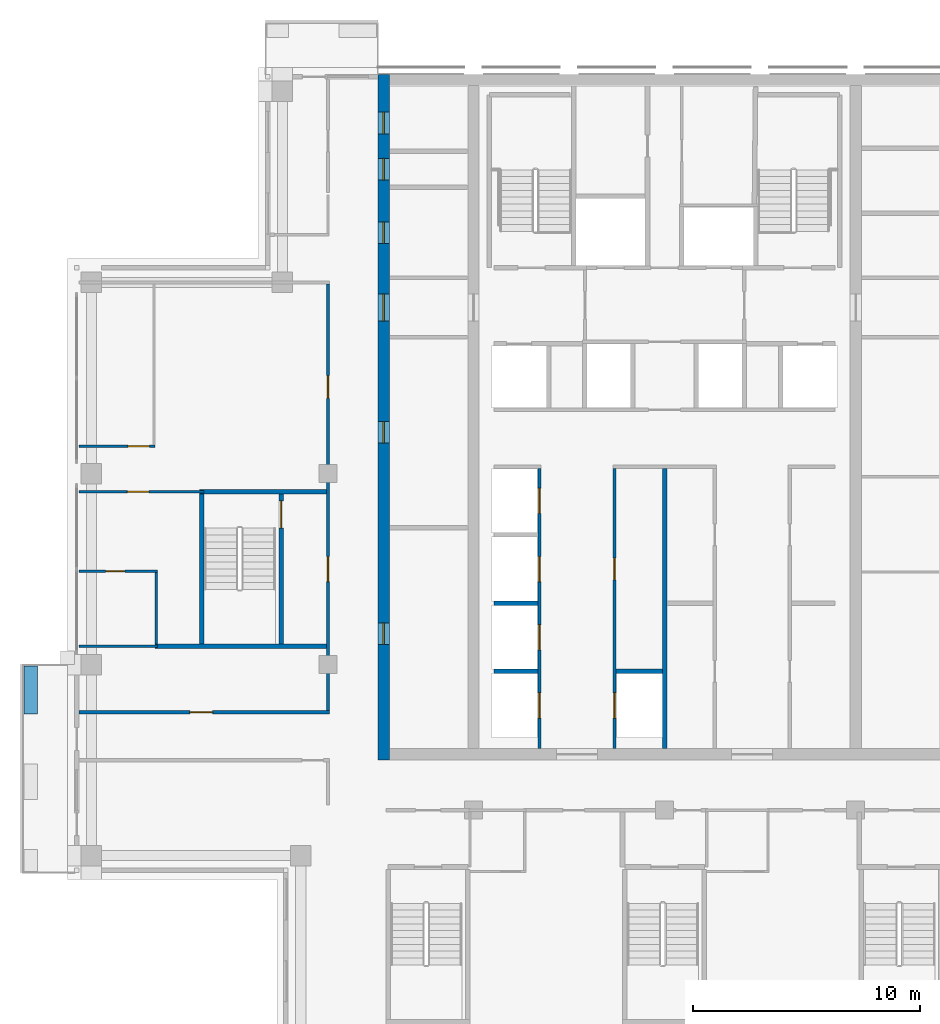
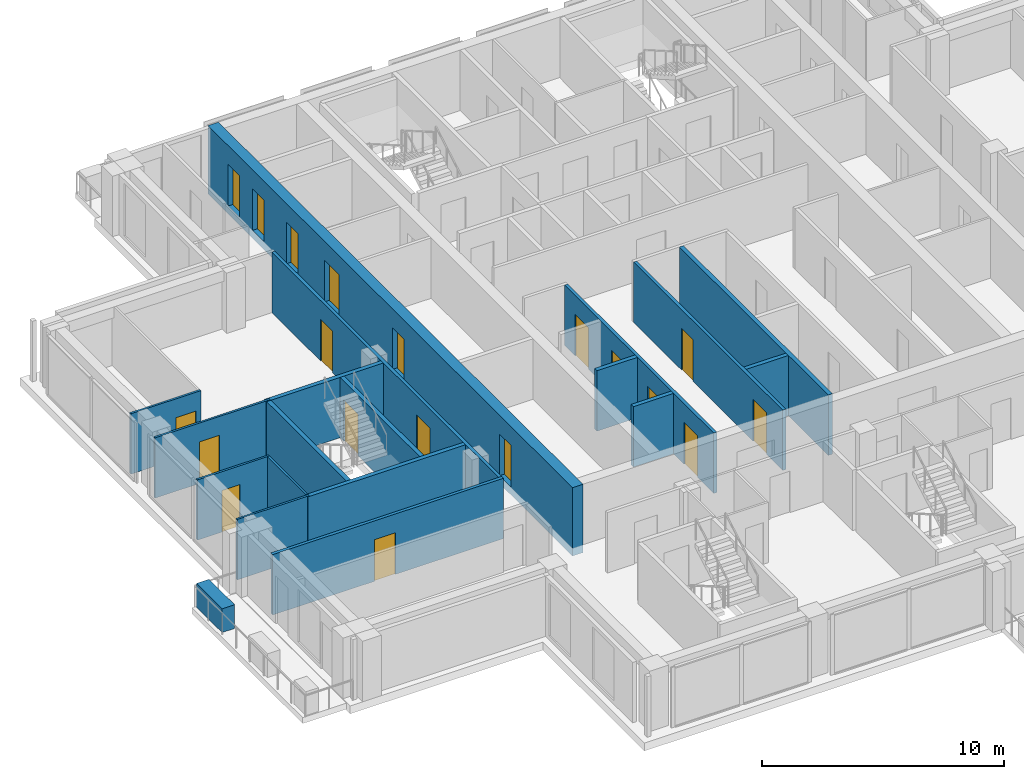
# One storey, part 9 of 17: 19 doors, 19 walls, 19 openings.
"""IFC4 building model written with IfcOpenShell, lengths in metres."""

from ifc_helpers import new_model, si_unit, direction, frame, frame_2d, origin, place, context, subcontext, project, spatial, rectangle, extrude, material, layer, layer_set, type_object, element, fill, save


model = new_model("IFC4")

# Units and contexts
model_context = context("Model", 3, precision=1e-05, world=origin(), true_north=direction((0.0, 1.0)))
body_context = subcontext(model_context, "Body", "Model", "MODEL_VIEW")
ifc_project = project(units=[si_unit("LENGTHUNIT", "METRE"), si_unit("AREAUNIT", "SQUARE_METRE"), si_unit("VOLUMEUNIT", "CUBIC_METRE"), si_unit("PLANEANGLEUNIT", "RADIAN"), si_unit("MASSUNIT", "GRAM", prefix="KILO")], contexts=[model_context])

# Site, building, storey
site_placement = place(None, origin())
site = spatial("IfcSite", under=ifc_project, at=site_placement, CompositionType="ELEMENT")
building_placement = place(site_placement, origin())
building = spatial("IfcBuilding", under=site, at=building_placement, Name="Vermilion Ogive Tower", CompositionType="ELEMENT")
storey_placement = place(building_placement, frame((0.0, 0.0, 257.949951171875)))
storey = spatial("IfcBuildingStorey", under=building, at=storey_placement, Name="L68", CompositionType="ELEMENT", Elevation=257.949951171875)

# Wall, openings, doors
ifc_material_1 = material(Name="Concrete B60", Category="concrete")
ifc_layer_1 = layer(ifc_material_1, 0.5)
ifc_layer_set_1 = layer_set([ifc_layer_1], Name="Core wall 500 B60")
wall_type_1 = type_object("IfcWallType", Name="Core wall 500 B60", PredefinedType="SHEAR", material=ifc_layer_set_1)
wall_1_placement = place(storey_placement, frame((-12.35009765625, -8.39990234375, -0.39990234375), z_axis=(0.0, 0.0, 1.0), x_axis=(0.0, 1.0, 0.0)))
wall_1 = element("IfcWall", 1, at=wall_1_placement, inside=storey, type_object=wall_type_1, Name="L68-CORE-W", PredefinedType="SHEAR", context=body_context, shape_type="SweptSolid", body=[
    extrude(rectangle(XDim=30.14990234375, YDim=0.5, at=frame_2d((15.074951171875, 0.0))), origin(), (0.0, 0.0, 1.0), 3.449951171875),
])
opening_1_placement = place(wall_1_placement, frame((5.0830078125, 0.0, 0.39990234375)))
opening_1 = element("IfcOpeningElement", 2, at=opening_1_placement, cuts=wall_1, Name="Opening DAD122", PredefinedType="OPENING", context=body_context, shape_type="SweptSolid", body=[
    extrude(rectangle(XDim=0.949951171875, YDim=2.10009765625, at=frame_2d((0.47509765625, 1.050048828125))), frame((0.0, 0.260009765625, 0.0), z_axis=(0.0, -1.0, 0.0), x_axis=(1.0, 0.0, 0.0)), (0.0, 0.0, 1.0), 0.52001953125),
])
opening_2_placement = place(wall_1_placement, frame((13.932861328125, 0.0, 0.39990234375)))
opening_2 = element("IfcOpeningElement", 3, at=opening_2_placement, cuts=wall_1, Name="Opening DAD123", PredefinedType="OPENING", context=body_context, shape_type="SweptSolid", body=[
    extrude(rectangle(XDim=0.949951171875, YDim=2.10009765625, at=frame_2d((0.47509765625, 1.050048828125))), frame((0.0, 0.260009765625, 0.0), z_axis=(0.0, -1.0, 0.0), x_axis=(1.0, 0.0, 0.0)), (0.0, 0.0, 1.0), 0.52001953125),
])
opening_3_placement = place(wall_1_placement, frame((22.718994140625, 0.0, 0.39990234375)))
opening_3 = element("IfcOpeningElement", 4, at=opening_3_placement, cuts=wall_1, Name="Opening DAD124", PredefinedType="OPENING", context=body_context, shape_type="SweptSolid", body=[
    extrude(rectangle(XDim=0.949951171875, YDim=2.10009765625, at=frame_2d((0.47509765625, 1.050048828125))), frame((0.0, 0.260009765625, 0.0), z_axis=(0.0, -1.0, 0.0), x_axis=(1.0, 0.0, 0.0)), (0.0, 0.0, 1.0), 0.52001953125),
])
opening_4_placement = place(wall_1_placement, frame((25.505615234375, 0.0, 0.39990234375)))
opening_4 = element("IfcOpeningElement", 5, at=opening_4_placement, cuts=wall_1, Name="Opening DAD125", PredefinedType="OPENING", context=body_context, shape_type="SweptSolid", body=[
    extrude(rectangle(XDim=0.949951171875, YDim=2.10009765625, at=frame_2d((0.47509765625, 1.050048828125))), frame((0.0, 0.260009765625, 0.0), z_axis=(0.0, -1.0, 0.0), x_axis=(1.0, 0.0, 0.0)), (0.0, 0.0, 1.0), 0.52001953125),
])
opening_5_placement = place(wall_1_placement, frame((27.53662109375, 0.0, 0.39990234375)))
opening_5 = element("IfcOpeningElement", 6, at=opening_5_placement, cuts=wall_1, Name="Opening DAD126", PredefinedType="OPENING", context=body_context, shape_type="SweptSolid", body=[
    extrude(rectangle(XDim=0.949951171875, YDim=2.10009765625, at=frame_2d((0.47509765625, 1.050048828125))), frame((0.0, 0.260009765625, 0.0), z_axis=(0.0, -1.0, 0.0), x_axis=(1.0, 0.0, 0.0)), (0.0, 0.0, 1.0), 0.52001953125),
])
opening_6_placement = place(wall_1_placement, frame((19.300048828125, 0.0, 0.39990234375)))
opening_6 = element("IfcOpeningElement", 7, at=opening_6_placement, cuts=wall_1, Name="Opening DAM028", PredefinedType="OPENING", context=body_context, shape_type="SweptSolid", body=[
    extrude(rectangle(XDim=1.199951171875, YDim=2.10009765625, at=frame_2d((0.60009765625, 1.050048828125))), frame((0.0, 0.260009765625, 0.0), z_axis=(0.0, -1.0, 0.0), x_axis=(1.0, 0.0, 0.0)), (0.0, 0.0, 1.0), 0.52001953125),
])
ifc_material_2 = material(Name="Timber door leaf", Category="wood")
door_type_1 = type_object("IfcDoorType", Name="Link door 1200 x 2100 FD60S", OperationType="SINGLE_SWING_LEFT", PredefinedType="DOOR", material=ifc_material_2)
door_1_placement = place(opening_6_placement, origin())
door_1 = element("IfcDoor", 8, at=door_1_placement, inside=storey, type_object=door_type_1, Name="L68-CKW-XL", OperationType="SINGLE_SWING_LEFT", OverallHeight=2.10009765625, OverallWidth=1.199951171875, PredefinedType="DOOR", context=body_context, shape_type="SweptSolid", body=[
    extrude(rectangle(XDim=1.199951171875, YDim=2.10009765625, at=frame_2d((0.60009765625, 1.050048828125))), frame((0.0, 0.02490234375, 0.0), z_axis=(0.0, -1.0, 0.0), x_axis=(1.0, 0.0, 0.0)), (0.0, 0.0, 1.0), 0.050048828125),
])
fill(opening_6, door_1)
ifc_material_3 = material(Name="Timber door leaf", Category="wood")
door_type_2 = type_object("IfcDoorType", Name="Service door 950 x 2100 FD60", OperationType="SINGLE_SWING_LEFT", PredefinedType="DOOR", material=ifc_material_3)
door_2_placement = place(opening_1_placement, origin())
door_2 = element("IfcDoor", 9, at=door_2_placement, inside=storey, type_object=door_type_2, Name="L68-CKW-XR0", OperationType="SINGLE_SWING_LEFT", OverallHeight=2.10009765625, OverallWidth=0.949951171875, PredefinedType="DOOR", context=body_context, shape_type="SweptSolid", body=[
    extrude(rectangle(XDim=0.949951171875, YDim=2.10009765625, at=frame_2d((0.47509765625, 1.050048828125))), frame((0.0, 0.02490234375, 0.0), z_axis=(0.0, -1.0, 0.0), x_axis=(1.0, 0.0, 0.0)), (0.0, 0.0, 1.0), 0.050048828125),
])
fill(opening_1, door_2)
door_3_placement = place(opening_2_placement, origin())
door_3 = element("IfcDoor", 10, at=door_3_placement, inside=storey, type_object=door_type_2, Name="L68-CKW-XR1", OperationType="SINGLE_SWING_LEFT", OverallHeight=2.10009765625, OverallWidth=0.949951171875, PredefinedType="DOOR", context=body_context, shape_type="SweptSolid", body=[
    extrude(rectangle(XDim=0.949951171875, YDim=2.10009765625, at=frame_2d((0.47509765625, 1.050048828125))), frame((0.0, 0.02490234375, 0.0), z_axis=(0.0, -1.0, 0.0), x_axis=(1.0, 0.0, 0.0)), (0.0, 0.0, 1.0), 0.050048828125),
])
fill(opening_2, door_3)
door_4_placement = place(opening_3_placement, origin())
door_4 = element("IfcDoor", 11, at=door_4_placement, inside=storey, type_object=door_type_2, Name="L68-CKW-XR2", OperationType="SINGLE_SWING_LEFT", OverallHeight=2.10009765625, OverallWidth=0.949951171875, PredefinedType="DOOR", context=body_context, shape_type="SweptSolid", body=[
    extrude(rectangle(XDim=0.949951171875, YDim=2.10009765625, at=frame_2d((0.47509765625, 1.050048828125))), frame((0.0, 0.02490234375, 0.0), z_axis=(0.0, -1.0, 0.0), x_axis=(1.0, 0.0, 0.0)), (0.0, 0.0, 1.0), 0.050048828125),
])
fill(opening_3, door_4)
door_5_placement = place(opening_4_placement, origin())
door_5 = element("IfcDoor", 12, at=door_5_placement, inside=storey, type_object=door_type_2, Name="L68-CKW-XR3", OperationType="SINGLE_SWING_LEFT", OverallHeight=2.10009765625, OverallWidth=0.949951171875, PredefinedType="DOOR", context=body_context, shape_type="SweptSolid", body=[
    extrude(rectangle(XDim=0.949951171875, YDim=2.10009765625, at=frame_2d((0.47509765625, 1.050048828125))), frame((0.0, 0.02490234375, 0.0), z_axis=(0.0, -1.0, 0.0), x_axis=(1.0, 0.0, 0.0)), (0.0, 0.0, 1.0), 0.050048828125),
])
fill(opening_4, door_5)
door_6_placement = place(opening_5_placement, origin())
door_6 = element("IfcDoor", 13, at=door_6_placement, inside=storey, type_object=door_type_2, Name="L68-CKW-XR4", OperationType="SINGLE_SWING_LEFT", OverallHeight=2.10009765625, OverallWidth=0.949951171875, PredefinedType="DOOR", context=body_context, shape_type="SweptSolid", body=[
    extrude(rectangle(XDim=0.949951171875, YDim=2.10009765625, at=frame_2d((0.47509765625, 1.050048828125))), frame((0.0, 0.02490234375, 0.0), z_axis=(0.0, -1.0, 0.0), x_axis=(1.0, 0.0, 0.0)), (0.0, 0.0, 1.0), 0.050048828125),
])
fill(opening_5, door_6)

# Wall
ifc_material_4 = material(Name="Gypsum board partition on steel studs", Category="steel")
ifc_layer_2 = layer(ifc_material_4, 0.10009765625)
ifc_layer_set_2 = layer_set([ifc_layer_2], Name="Partition 100 bath")
wall_type_2 = type_object("IfcWallType", Name="Partition 100 bath", PredefinedType="PARTITIONING", material=ifc_layer_set_2)
wall_2_placement = place(storey_placement, frame((-25.75, -3.39990234375, 0.0), z_axis=(0.0, 0.0, 1.0), x_axis=(1.0, 0.0, 0.0)))
element("IfcWall", 14, at=wall_2_placement, inside=storey, type_object=wall_type_2, Name="L68-W-W018", PredefinedType="PARTITIONING", context=body_context, shape_type="SweptSolid", body=[
    extrude(rectangle(XDim=3.449951171875, YDim=0.10009765625, at=frame_2d((1.72509765625, 0.0))), origin(), (0.0, 0.0, 1.0), 3.050048828125),
])

# Wall, opening, door
wall_3_placement = place(storey_placement, frame((-25.75, -0.10009765625, 0.0), z_axis=(0.0, 0.0, 1.0), x_axis=(1.0, 0.0, 0.0)))
wall_3 = element("IfcWall", 15, at=wall_3_placement, inside=storey, type_object=wall_type_2, Name="L68-W-W023", PredefinedType="PARTITIONING", context=body_context, shape_type="SweptSolid", body=[
    extrude(rectangle(XDim=3.449951171875, YDim=0.10009765625, at=frame_2d((1.72509765625, 0.0))), origin(), (0.0, 0.0, 1.0), 3.050048828125),
])
opening_7_placement = place(wall_3_placement, frame((1.175048828125, 0.0, 0.0)))
opening_7 = element("IfcOpeningElement", 16, at=opening_7_placement, cuts=wall_3, Name="Opening D5G5006", PredefinedType="OPENING", context=body_context, shape_type="SweptSolid", body=[
    extrude(rectangle(XDim=0.85009765625, YDim=2.10009765625, at=frame_2d((0.425048828125, 1.050048828125))), frame((0.0, 0.06005859375, 0.0), z_axis=(0.0, -1.0, 0.0), x_axis=(1.0, 0.0, 0.0)), (0.0, 0.0, 1.0), 0.1201171875),
])
ifc_material_5 = material(Name="Timber door leaf", Category="wood")
door_type_3 = type_object("IfcDoorType", Name="Bath door 850 x 2100 FD30", OperationType="SINGLE_SWING_LEFT", PredefinedType="DOOR", material=ifc_material_5)
door_7_placement = place(opening_7_placement, origin())
door_7 = element("IfcDoor", 17, at=door_7_placement, inside=storey, type_object=door_type_3, Name="L68-D-D006", OperationType="SINGLE_SWING_RIGHT", OverallHeight=2.10009765625, OverallWidth=0.85009765625, PredefinedType="DOOR", context=body_context, shape_type="SweptSolid", body=[
    extrude(rectangle(XDim=0.85009765625, YDim=2.10009765625, at=frame_2d((0.425048828125, 1.050048828125))), frame((0.0, 0.02490234375, 0.0), z_axis=(0.0, -1.0, 0.0), x_axis=(1.0, 0.0, 0.0)), (0.0, 0.0, 1.0), 0.050048828125),
])
fill(opening_7, door_7)

# Wall
wall_4_placement = place(storey_placement, frame((-22.35009765625, -3.300048828125, 0.0), z_axis=(0.0, 0.0, 1.0), x_axis=(0.0, 1.0, 0.0)))
element("IfcWall", 18, at=wall_4_placement, inside=storey, type_object=wall_type_2, Name="L68-W-W039", PredefinedType="PARTITIONING", context=body_context, shape_type="SweptSolid", body=[
    extrude(rectangle(XDim=3.150146484375, YDim=0.10009765625, at=frame_2d((1.5751953125, 0.0))), origin(), (0.0, 0.0, 1.0), 3.050048828125),
])

# Wall, opening, door
ifc_material_6 = material(Name="Gypsum board partition on steel studs", Category="steel")
ifc_layer_3 = layer(ifc_material_6, 0.10009765625)
ifc_layer_set_3 = layer_set([ifc_layer_3], Name="Partition 100 inner")
wall_type_3 = type_object("IfcWallType", Name="Partition 100 inner", PredefinedType="PARTITIONING", material=ifc_layer_set_3)
wall_5_placement = place(storey_placement, frame((-25.75, 3.39990234375, 0.0), z_axis=(0.0, 0.0, 1.0), x_axis=(1.0, 0.0, 0.0)))
wall_5 = element("IfcWall", 19, at=wall_5_placement, inside=storey, type_object=wall_type_3, Name="L68-W-W024", PredefinedType="PARTITIONING", context=body_context, shape_type="SweptSolid", body=[
    extrude(rectangle(XDim=5.5, YDim=0.10009765625, at=frame_2d((2.75, 0.0))), origin(), (0.0, 0.0, 1.0), 3.050048828125),
])
opening_8_placement = place(wall_5_placement, frame((2.125, 0.0, 0.0)))
opening_8 = element("IfcOpeningElement", 20, at=opening_8_placement, cuts=wall_5, Name="Opening D5G5005", PredefinedType="OPENING", context=body_context, shape_type="SweptSolid", body=[
    extrude(rectangle(XDim=0.949951171875, YDim=2.10009765625, at=frame_2d((0.47509765625, 1.050048828125))), frame((0.0, 0.06005859375, 0.0), z_axis=(0.0, -1.0, 0.0), x_axis=(1.0, 0.0, 0.0)), (0.0, 0.0, 1.0), 0.1201171875),
])
ifc_material_7 = material(Name="Timber door leaf", Category="wood")
door_type_4 = type_object("IfcDoorType", Name="Inner door 950 x 2100 FD30", OperationType="SINGLE_SWING_LEFT", PredefinedType="DOOR", material=ifc_material_7)
door_8_placement = place(opening_8_placement, origin())
door_8 = element("IfcDoor", 21, at=door_8_placement, inside=storey, type_object=door_type_4, Name="L68-D-D005", OperationType="SINGLE_SWING_LEFT", OverallHeight=2.10009765625, OverallWidth=0.949951171875, PredefinedType="DOOR", context=body_context, shape_type="SweptSolid", body=[
    extrude(rectangle(XDim=0.949951171875, YDim=2.10009765625, at=frame_2d((0.47509765625, 1.050048828125))), frame((0.0, 0.02490234375, 0.0), z_axis=(0.0, -1.0, 0.0), x_axis=(1.0, 0.0, 0.0)), (0.0, 0.0, 1.0), 0.050048828125),
])
fill(opening_8, door_8)

wall_6_placement = place(storey_placement, frame((-25.75, 5.39990234375, 0.0), z_axis=(0.0, 0.0, 1.0), x_axis=(1.0, 0.0, 0.0)))
wall_6 = element("IfcWall", 22, at=wall_6_placement, inside=storey, type_object=wall_type_3, Name="L68-W-W028", PredefinedType="PARTITIONING", context=body_context, shape_type="SweptSolid", body=[
    extrude(rectangle(XDim=3.35009765625, YDim=0.10009765625, at=frame_2d((1.675048828125, 0.0))), origin(), (0.0, 0.0, 1.0), 3.050048828125),
])
opening_9_placement = place(wall_6_placement, frame((2.14990234375, 0.0, 0.0)))
opening_9 = element("IfcOpeningElement", 23, at=opening_9_placement, cuts=wall_6, Name="Opening D5G5003", PredefinedType="OPENING", context=body_context, shape_type="SweptSolid", body=[
    extrude(rectangle(XDim=0.949951171875, YDim=2.10009765625, at=frame_2d((0.47509765625, 1.050048828125))), frame((0.0, 0.06005859375, 0.0), z_axis=(0.0, -1.0, 0.0), x_axis=(1.0, 0.0, 0.0)), (0.0, 0.0, 1.0), 0.1201171875),
])
door_9_placement = place(opening_9_placement, origin())
door_9 = element("IfcDoor", 24, at=door_9_placement, inside=storey, type_object=door_type_4, Name="L68-D-D003", OperationType="SINGLE_SWING_RIGHT", OverallHeight=2.10009765625, OverallWidth=0.949951171875, PredefinedType="DOOR", context=body_context, shape_type="SweptSolid", body=[
    extrude(rectangle(XDim=0.949951171875, YDim=2.10009765625, at=frame_2d((0.47509765625, 1.050048828125))), frame((0.0, 0.02490234375, 0.0), z_axis=(0.0, -1.0, 0.0), x_axis=(1.0, 0.0, 0.0)), (0.0, 0.0, 1.0), 0.050048828125),
])
fill(opening_9, door_9)

ifc_material_8 = material(Name="Gypsum board partition on steel studs", Category="steel")
ifc_layer_4 = layer(ifc_material_8, 0.14990234375)
ifc_layer_set_4 = layer_set([ifc_layer_4], Name="Partition 150 corridor")
wall_type_4 = type_object("IfcWallType", Name="Partition 150 corridor", PredefinedType="PARTITIONING", material=ifc_layer_set_4)
wall_7_placement = place(storey_placement, frame((-25.75, -6.300048828125, 0.0), z_axis=(0.0, 0.0, 1.0), x_axis=(1.0, 0.0, 0.0)))
wall_7 = element("IfcWall", 25, at=wall_7_placement, inside=storey, type_object=wall_type_4, Name="L68-W-W016", PredefinedType="PARTITIONING", context=body_context, shape_type="SweptSolid", body=[
    extrude(rectangle(XDim=11.02490234375, YDim=0.14990234375, at=frame_2d((5.512451171875, 0.0))), origin(), (0.0, 0.0, 1.0), 3.050048828125),
])
opening_10_placement = place(wall_7_placement, frame((4.875, 0.0, 0.0)))
opening_10 = element("IfcOpeningElement", 26, at=opening_10_placement, cuts=wall_7, Name="Opening D5G5032", PredefinedType="OPENING", context=body_context, shape_type="SweptSolid", body=[
    extrude(rectangle(XDim=1.0, YDim=2.10009765625, at=frame_2d((0.5, 1.050048828125))), frame((0.0, 0.0849609375, 0.0), z_axis=(0.0, -1.0, 0.0), x_axis=(1.0, 0.0, 0.0)), (0.0, 0.0, 1.0), 0.169921875),
])
ifc_material_9 = material(Name="Timber door leaf", Category="wood")
door_type_5 = type_object("IfcDoorType", Name="Unit door 1000 x 2100 FD30S", OperationType="SINGLE_SWING_LEFT", PredefinedType="DOOR", material=ifc_material_9)
door_10_placement = place(opening_10_placement, origin())
door_10 = element("IfcDoor", 27, at=door_10_placement, inside=storey, type_object=door_type_5, Name="L68-D-D032", OperationType="SINGLE_SWING_RIGHT", OverallHeight=2.10009765625, OverallWidth=1.0, PredefinedType="DOOR", context=body_context, shape_type="SweptSolid", body=[
    extrude(rectangle(XDim=1.0, YDim=2.10009765625, at=frame_2d((0.5, 1.050048828125))), frame((0.0, 0.02490234375, 0.0), z_axis=(0.0, -1.0, 0.0), x_axis=(1.0, 0.0, 0.0)), (0.0, 0.0, 1.0), 0.050048828125),
])
fill(opening_10, door_10)

# Wall, openings, doors
wall_8_placement = place(storey_placement, frame((-14.800048828125, -6.22509765625, 0.0), z_axis=(0.0, 0.0, 1.0), x_axis=(0.0, 1.0, 0.0)))
wall_8 = element("IfcWall", 28, at=wall_8_placement, inside=storey, type_object=wall_type_4, Name="L68-W-W045", PredefinedType="PARTITIONING", context=body_context, shape_type="SweptSolid", body=[
    extrude(rectangle(XDim=18.75, YDim=0.14990234375, at=frame_2d((9.375, 0.0))), origin(), (0.0, 0.0, 1.0), 3.050048828125),
])
opening_11_placement = place(wall_8_placement, frame((13.72509765625, 0.0, 0.0)))
opening_11 = element("IfcOpeningElement", 29, at=opening_11_placement, cuts=wall_8, Name="Opening D5G5004", PredefinedType="OPENING", context=body_context, shape_type="SweptSolid", body=[
    extrude(rectangle(XDim=1.0, YDim=2.10009765625, at=frame_2d((0.5, 1.050048828125))), frame((0.0, 0.0849609375, 0.0), z_axis=(0.0, -1.0, 0.0), x_axis=(1.0, 0.0, 0.0)), (0.0, 0.0, 1.0), 0.169921875),
])
opening_12_placement = place(wall_8_placement, frame((5.675048828125, 0.0, 0.0)))
opening_12 = element("IfcOpeningElement", 30, at=opening_12_placement, cuts=wall_8, Name="Opening D5G5029", PredefinedType="OPENING", context=body_context, shape_type="SweptSolid", body=[
    extrude(rectangle(XDim=1.10009765625, YDim=2.10009765625, at=frame_2d((0.550048828125, 1.050048828125))), frame((0.0, 0.0849609375, 0.0), z_axis=(0.0, -1.0, 0.0), x_axis=(1.0, 0.0, 0.0)), (0.0, 0.0, 1.0), 0.169921875),
])
ifc_material_10 = material(Name="Timber door leaf", Category="wood")
door_type_6 = type_object("IfcDoorType", Name="Stair door 1100 x 2100 FD60S", OperationType="SINGLE_SWING_LEFT", PredefinedType="DOOR", material=ifc_material_10)
door_11_placement = place(opening_12_placement, origin())
door_11 = element("IfcDoor", 31, at=door_11_placement, inside=storey, type_object=door_type_6, Name="L68-D-D029", OperationType="SINGLE_SWING_RIGHT", OverallHeight=2.10009765625, OverallWidth=1.10009765625, PredefinedType="DOOR", context=body_context, shape_type="SweptSolid", body=[
    extrude(rectangle(XDim=1.10009765625, YDim=2.10009765625, at=frame_2d((0.550048828125, 1.050048828125))), frame((0.0, 0.02490234375, 0.0), z_axis=(0.0, -1.0, 0.0), x_axis=(1.0, 0.0, 0.0)), (0.0, 0.0, 1.0), 0.050048828125),
])
fill(opening_12, door_11)
door_12_placement = place(opening_11_placement, origin())
door_12 = element("IfcDoor", 32, at=door_12_placement, inside=storey, type_object=door_type_5, Name="L68-D-D004", OperationType="SINGLE_SWING_LEFT", OverallHeight=2.10009765625, OverallWidth=1.0, PredefinedType="DOOR", context=body_context, shape_type="SweptSolid", body=[
    extrude(rectangle(XDim=1.0, YDim=2.10009765625, at=frame_2d((0.5, 1.050048828125))), frame((0.0, 0.02490234375, 0.0), z_axis=(0.0, -1.0, 0.0), x_axis=(1.0, 0.0, 0.0)), (0.0, 0.0, 1.0), 0.050048828125),
])
fill(opening_11, door_12)

wall_9_placement = place(storey_placement, frame((-5.5, -7.89892578125, 0.0), z_axis=(0.0, 0.0, 1.0), x_axis=(0.0, 1.0, 0.0)))
wall_9 = element("IfcWall", 33, at=wall_9_placement, inside=storey, type_object=wall_type_4, Name="L68-CK-W-W019", PredefinedType="PARTITIONING", context=body_context, shape_type="SweptSolid", body=[
    extrude(rectangle(XDim=12.323974609375, YDim=0.14990234375, at=frame_2d((6.162109375, 0.0))), origin(), (0.0, 0.0, 1.0), 3.050048828125),
])
opening_13_placement = place(wall_9_placement, frame((1.348876953125, 0.0, 0.0)))
opening_13 = element("IfcOpeningElement", 34, at=opening_13_placement, cuts=wall_9, Name="Opening DAA647", PredefinedType="OPENING", context=body_context, shape_type="SweptSolid", body=[
    extrude(rectangle(XDim=1.10009765625, YDim=2.10009765625, at=frame_2d((0.550048828125, 1.050048828125))), frame((0.0, 0.0849609375, 0.0), z_axis=(0.0, -1.0, 0.0), x_axis=(1.0, 0.0, 0.0)), (0.0, 0.0, 1.0), 0.169921875),
])
opening_14_placement = place(wall_9_placement, frame((4.348876953125, 0.0, 0.0)))
opening_14 = element("IfcOpeningElement", 35, at=opening_14_placement, cuts=wall_9, Name="Opening DAA648", PredefinedType="OPENING", context=body_context, shape_type="SweptSolid", body=[
    extrude(rectangle(XDim=1.10009765625, YDim=2.10009765625, at=frame_2d((0.550048828125, 1.050048828125))), frame((0.0, 0.0849609375, 0.0), z_axis=(0.0, -1.0, 0.0), x_axis=(1.0, 0.0, 0.0)), (0.0, 0.0, 1.0), 0.169921875),
])
opening_15_placement = place(wall_9_placement, frame((7.348876953125, 0.0, 0.0)))
opening_15 = element("IfcOpeningElement", 36, at=opening_15_placement, cuts=wall_9, Name="Opening DAA649", PredefinedType="OPENING", context=body_context, shape_type="SweptSolid", body=[
    extrude(rectangle(XDim=1.10009765625, YDim=2.10009765625, at=frame_2d((0.550048828125, 1.050048828125))), frame((0.0, 0.0849609375, 0.0), z_axis=(0.0, -1.0, 0.0), x_axis=(1.0, 0.0, 0.0)), (0.0, 0.0, 1.0), 0.169921875),
])
opening_16_placement = place(wall_9_placement, frame((10.348876953125, 0.0, 0.0)))
opening_16 = element("IfcOpeningElement", 37, at=opening_16_placement, cuts=wall_9, Name="Opening DAA650", PredefinedType="OPENING", context=body_context, shape_type="SweptSolid", body=[
    extrude(rectangle(XDim=1.10009765625, YDim=2.10009765625, at=frame_2d((0.550048828125, 1.050048828125))), frame((0.0, 0.0849609375, 0.0), z_axis=(0.0, -1.0, 0.0), x_axis=(1.0, 0.0, 0.0)), (0.0, 0.0, 1.0), 0.169921875),
])
ifc_material_11 = material(Name="Stainless steel", Category="steel")
door_type_7 = type_object("IfcDoorType", Name="Lift landing door 1100 x 2100", OperationType="SLIDING_TO_LEFT", PredefinedType="DOOR", material=ifc_material_11)
door_13_placement = place(opening_13_placement, origin())
door_13 = element("IfcDoor", 38, at=door_13_placement, inside=storey, type_object=door_type_7, Name="L68-CK-D-D001", OperationType="SLIDING_TO_LEFT", OverallHeight=2.10009765625, OverallWidth=1.10009765625, PredefinedType="DOOR", context=body_context, shape_type="SweptSolid", body=[
    extrude(rectangle(XDim=1.10009765625, YDim=2.10009765625, at=frame_2d((0.550048828125, 1.050048828125))), frame((0.0, 0.02490234375, 0.0), z_axis=(0.0, -1.0, 0.0), x_axis=(1.0, 0.0, 0.0)), (0.0, 0.0, 1.0), 0.050048828125),
])
fill(opening_13, door_13)
door_14_placement = place(opening_14_placement, origin())
door_14 = element("IfcDoor", 39, at=door_14_placement, inside=storey, type_object=door_type_7, Name="L68-CK-D-D002", OperationType="SLIDING_TO_LEFT", OverallHeight=2.10009765625, OverallWidth=1.10009765625, PredefinedType="DOOR", context=body_context, shape_type="SweptSolid", body=[
    extrude(rectangle(XDim=1.10009765625, YDim=2.10009765625, at=frame_2d((0.550048828125, 1.050048828125))), frame((0.0, 0.02490234375, 0.0), z_axis=(0.0, -1.0, 0.0), x_axis=(1.0, 0.0, 0.0)), (0.0, 0.0, 1.0), 0.050048828125),
])
fill(opening_14, door_14)
door_15_placement = place(opening_15_placement, origin())
door_15 = element("IfcDoor", 40, at=door_15_placement, inside=storey, type_object=door_type_7, Name="L68-CK-D-D003", OperationType="SLIDING_TO_LEFT", OverallHeight=2.10009765625, OverallWidth=1.10009765625, PredefinedType="DOOR", context=body_context, shape_type="SweptSolid", body=[
    extrude(rectangle(XDim=1.10009765625, YDim=2.10009765625, at=frame_2d((0.550048828125, 1.050048828125))), frame((0.0, 0.02490234375, 0.0), z_axis=(0.0, -1.0, 0.0), x_axis=(1.0, 0.0, 0.0)), (0.0, 0.0, 1.0), 0.050048828125),
])
fill(opening_15, door_15)
door_16_placement = place(opening_16_placement, origin())
door_16 = element("IfcDoor", 41, at=door_16_placement, inside=storey, type_object=door_type_7, Name="L68-CK-D-D004", OperationType="SLIDING_TO_LEFT", OverallHeight=2.10009765625, OverallWidth=1.10009765625, PredefinedType="DOOR", context=body_context, shape_type="SweptSolid", body=[
    extrude(rectangle(XDim=1.10009765625, YDim=2.10009765625, at=frame_2d((0.550048828125, 1.050048828125))), frame((0.0, 0.02490234375, 0.0), z_axis=(0.0, -1.0, 0.0), x_axis=(1.0, 0.0, 0.0)), (0.0, 0.0, 1.0), 0.050048828125),
])
fill(opening_16, door_16)

wall_10_placement = place(storey_placement, frame((-2.199951171875, -7.89892578125, 0.0), z_axis=(0.0, 0.0, 1.0), x_axis=(0.0, 1.0, 0.0)))
wall_10 = element("IfcWall", 42, at=wall_10_placement, inside=storey, type_object=wall_type_4, Name="L68-CK-W-W024", PredefinedType="PARTITIONING", context=body_context, shape_type="SweptSolid", body=[
    extrude(rectangle(XDim=12.323974609375, YDim=0.14990234375, at=frame_2d((6.162109375, 0.0))), origin(), (0.0, 0.0, 1.0), 3.050048828125),
])
opening_17_placement = place(wall_10_placement, frame((1.348876953125, 0.0, 0.0)))
opening_17 = element("IfcOpeningElement", 43, at=opening_17_placement, cuts=wall_10, Name="Opening DAA651", PredefinedType="OPENING", context=body_context, shape_type="SweptSolid", body=[
    extrude(rectangle(XDim=1.10009765625, YDim=2.10009765625, at=frame_2d((0.550048828125, 1.050048828125))), frame((0.0, 0.0849609375, 0.0), z_axis=(0.0, -1.0, 0.0), x_axis=(1.0, 0.0, 0.0)), (0.0, 0.0, 1.0), 0.169921875),
])
opening_18_placement = place(wall_10_placement, frame((7.423828125, 0.0, 0.0)))
opening_18 = element("IfcOpeningElement", 44, at=opening_18_placement, cuts=wall_10, Name="Opening DAA638", PredefinedType="OPENING", context=body_context, shape_type="SweptSolid", body=[
    extrude(rectangle(XDim=0.949951171875, YDim=2.10009765625, at=frame_2d((0.47509765625, 1.050048828125))), frame((0.0, 0.0849609375, 0.0), z_axis=(0.0, -1.0, 0.0), x_axis=(1.0, 0.0, 0.0)), (0.0, 0.0, 1.0), 0.169921875),
])
door_17_placement = place(opening_17_placement, origin())
door_17 = element("IfcDoor", 45, at=door_17_placement, inside=storey, type_object=door_type_7, Name="L68-CK-D-D005", OperationType="SLIDING_TO_LEFT", OverallHeight=2.10009765625, OverallWidth=1.10009765625, PredefinedType="DOOR", context=body_context, shape_type="SweptSolid", body=[
    extrude(rectangle(XDim=1.10009765625, YDim=2.10009765625, at=frame_2d((0.550048828125, 1.050048828125))), frame((0.0, 0.02490234375, 0.0), z_axis=(0.0, -1.0, 0.0), x_axis=(1.0, 0.0, 0.0)), (0.0, 0.0, 1.0), 0.050048828125),
])
fill(opening_17, door_17)
door_18_placement = place(opening_18_placement, origin())
door_18 = element("IfcDoor", 46, at=door_18_placement, inside=storey, type_object=door_type_2, Name="L68-CK-D-D006", OperationType="SINGLE_SWING_RIGHT", OverallHeight=2.10009765625, OverallWidth=0.949951171875, PredefinedType="DOOR", context=body_context, shape_type="SweptSolid", body=[
    extrude(rectangle(XDim=0.949951171875, YDim=2.10009765625, at=frame_2d((0.47509765625, 1.050048828125))), frame((0.0, 0.02490234375, 0.0), z_axis=(0.0, -1.0, 0.0), x_axis=(1.0, 0.0, 0.0)), (0.0, 0.0, 1.0), 0.050048828125),
])
fill(opening_18, door_18)

# Walls
ifc_material_12 = material(Name="Gypsum board partition on steel studs", Category="steel")
ifc_layer_5 = layer(ifc_material_12, 0.199951171875)
ifc_layer_set_5 = layer_set([ifc_layer_5], Name="Partition 200 party")
wall_type_5 = type_object("IfcWallType", Name="Partition 200 party", PredefinedType="PARTITIONING", material=ifc_layer_set_5)
wall_11_placement = place(storey_placement, frame((-7.5, -4.5, 0.0), z_axis=(0.0, 0.0, 1.0), x_axis=(1.0, 0.0, 0.0)))
element("IfcWall", 47, at=wall_11_placement, inside=storey, type_object=wall_type_5, Name="L68-CK-W-W001", PredefinedType="PARTITIONING", context=body_context, shape_type="SweptSolid", body=[
    extrude(rectangle(XDim=1.925048828125, YDim=0.199951171875, at=frame_2d((0.96240234375, 0.0))), origin(), (0.0, 0.0, 1.0), 3.050048828125),
])
wall_12_placement = place(storey_placement, frame((-2.125, -4.5, 0.0), z_axis=(0.0, 0.0, 1.0), x_axis=(1.0, 0.0, 0.0)))
element("IfcWall", 48, at=wall_12_placement, inside=storey, type_object=wall_type_5, Name="L68-CK-W-W002", PredefinedType="PARTITIONING", context=body_context, shape_type="SweptSolid", body=[
    extrude(rectangle(XDim=2.02490234375, YDim=0.199951171875, at=frame_2d((1.012451171875, 0.0))), origin(), (0.0, 0.0, 1.0), 3.050048828125),
])
wall_13_placement = place(storey_placement, frame((-7.5, -1.5, 0.0), z_axis=(0.0, 0.0, 1.0), x_axis=(1.0, 0.0, 0.0)))
element("IfcWall", 49, at=wall_13_placement, inside=storey, type_object=wall_type_5, Name="L68-CK-W-W003", PredefinedType="PARTITIONING", context=body_context, shape_type="SweptSolid", body=[
    extrude(rectangle(XDim=1.925048828125, YDim=0.199951171875, at=frame_2d((0.96240234375, 0.0))), origin(), (0.0, 0.0, 1.0), 3.050048828125),
])
wall_14_placement = place(storey_placement, frame((0.0, -7.89892578125, 0.0), z_axis=(0.0, 0.0, 1.0), x_axis=(0.0, 1.0, 0.0)))
element("IfcWall", 50, at=wall_14_placement, inside=storey, type_object=wall_type_5, Name="L68-CK-W-W027", PredefinedType="PARTITIONING", context=body_context, shape_type="SweptSolid", body=[
    extrude(rectangle(XDim=12.323974609375, YDim=0.199951171875, at=frame_2d((6.162109375, 0.0))), origin(), (0.0, 0.0, 1.0), 3.050048828125),
])
ifc_material_13 = material(Name="Concrete B60", Category="concrete")
ifc_layer_6 = layer(ifc_material_13, 0.199951171875)
ifc_layer_set_6 = layer_set([ifc_layer_6], Name="Stair shaft wall 200 Concrete B60")
wall_type_6 = type_object("IfcWallType", Name="Stair shaft wall 200 Concrete B60", PredefinedType="SOLIDWALL", material=ifc_layer_set_6)
wall_15_placement = place(storey_placement, frame((-20.449951171875, 3.39990234375, 0.0), z_axis=(0.0, 0.0, 1.0), x_axis=(1.0, 0.0, 0.0)))
element("IfcWall", 51, at=wall_15_placement, inside=storey, type_object=wall_type_6, Name="L68-W-W025", PredefinedType="SOLIDWALL", context=body_context, shape_type="SweptSolid", body=[
    extrude(rectangle(XDim=5.574951171875, YDim=0.199951171875, at=frame_2d((2.78759765625, 0.0))), origin(), (0.0, 0.0, 1.0), 3.050048828125),
])

# Wall, opening, door
wall_16_placement = place(storey_placement, frame((-16.85009765625, -3.300048828125, 0.0), z_axis=(0.0, 0.0, 1.0), x_axis=(0.0, 1.0, 0.0)))
wall_16 = element("IfcWall", 52, at=wall_16_placement, inside=storey, type_object=wall_type_6, Name="L68-W-W043", PredefinedType="SOLIDWALL", context=body_context, shape_type="SweptSolid", body=[
    extrude(rectangle(XDim=6.60009765625, YDim=0.199951171875, at=frame_2d((3.300048828125, 0.0))), origin(), (0.0, 0.0, 1.0), 3.050048828125),
])
opening_19_placement = place(wall_16_placement, frame((5.10009765625, 0.0, 0.0)))
opening_19 = element("IfcOpeningElement", 53, at=opening_19_placement, cuts=wall_16, Name="Opening D5G5030", PredefinedType="OPENING", context=body_context, shape_type="SweptSolid", body=[
    extrude(rectangle(XDim=1.199951171875, YDim=2.10009765625, at=frame_2d((0.60009765625, 1.050048828125))), frame((0.0, 0.10986328125, 0.0), z_axis=(0.0, -1.0, 0.0), x_axis=(1.0, 0.0, 0.0)), (0.0, 0.0, 1.0), 0.219970703125),
])
ifc_material_14 = material(Name="Timber door leaf", Category="wood")
door_type_8 = type_object("IfcDoorType", Name="Stair door 1200 x 2100 FD60S", OperationType="SINGLE_SWING_LEFT", PredefinedType="DOOR", material=ifc_material_14)
door_19_placement = place(opening_19_placement, origin())
door_19 = element("IfcDoor", 54, at=door_19_placement, inside=storey, type_object=door_type_8, Name="L68-D-D030", OperationType="SINGLE_SWING_RIGHT", OverallHeight=2.10009765625, OverallWidth=1.199951171875, PredefinedType="DOOR", context=body_context, shape_type="SweptSolid", body=[
    extrude(rectangle(XDim=1.199951171875, YDim=2.10009765625, at=frame_2d((0.60009765625, 1.050048828125))), frame((0.0, 0.02490234375, 0.0), z_axis=(0.0, -1.0, 0.0), x_axis=(1.0, 0.0, 0.0)), (0.0, 0.0, 1.0), 0.050048828125),
])
fill(opening_19, door_19)

# Walls
wall_17_placement = place(storey_placement, frame((-20.35009765625, -3.300048828125, 0.0), z_axis=(0.0, 0.0, 1.0), x_axis=(0.0, 1.0, 0.0)))
element("IfcWall", 55, at=wall_17_placement, inside=storey, type_object=wall_type_6, Name="L68-W-W040-A", PredefinedType="SOLIDWALL", context=body_context, shape_type="SweptSolid", body=[
    extrude(rectangle(XDim=6.60009765625, YDim=0.199951171875, at=frame_2d((3.300048828125, 0.0))), origin(), (0.0, 0.0, 1.0), 3.050048828125),
])
wall_18_placement = place(storey_placement, frame((-22.39990234375, -3.39990234375, 0.0), z_axis=(0.0, 0.0, 1.0), x_axis=(1.0, 0.0, 0.0)))
element("IfcWall", 56, at=wall_18_placement, inside=storey, type_object=wall_type_6, Name="L68-W-W019-A", PredefinedType="SOLIDWALL", context=body_context, shape_type="SweptSolid", body=[
    extrude(rectangle(XDim=7.52490234375, YDim=0.199951171875, at=frame_2d((3.762451171875, 0.0))), origin(), (0.0, 0.0, 1.0), 3.050048828125),
])
ifc_material_15 = material(Name="Concrete B40", Category="concrete")
ifc_layer_7 = layer(ifc_material_15, 0.60009765625)
ifc_layer_set_7 = layer_set([ifc_layer_7], Name="Structural planter")
wall_type_7 = type_object("IfcWallType", Name="Structural planter", PredefinedType="USERDEFINED", material=ifc_layer_set_7)
wall_19_placement = place(storey_placement, frame((-27.86083984375, -4.260009765625, -0.0400390625), z_axis=(0.0, 0.0, 1.0), x_axis=(0.0, -1.0, 0.0)))
element("IfcWall", 57, at=wall_19_placement, inside=storey, type_object=wall_type_7, Name="Planter W03A1", ObjectType="PLANTER", PredefinedType="USERDEFINED", context=body_context, shape_type="SweptSolid", body=[
    extrude(rectangle(XDim=2.114990234375, YDim=0.60009765625, at=frame_2d((1.0576171875, 0.0))), origin(), (0.0, 0.0, 1.0), 1.2001953125),
])

save(model, "model.ifc")
